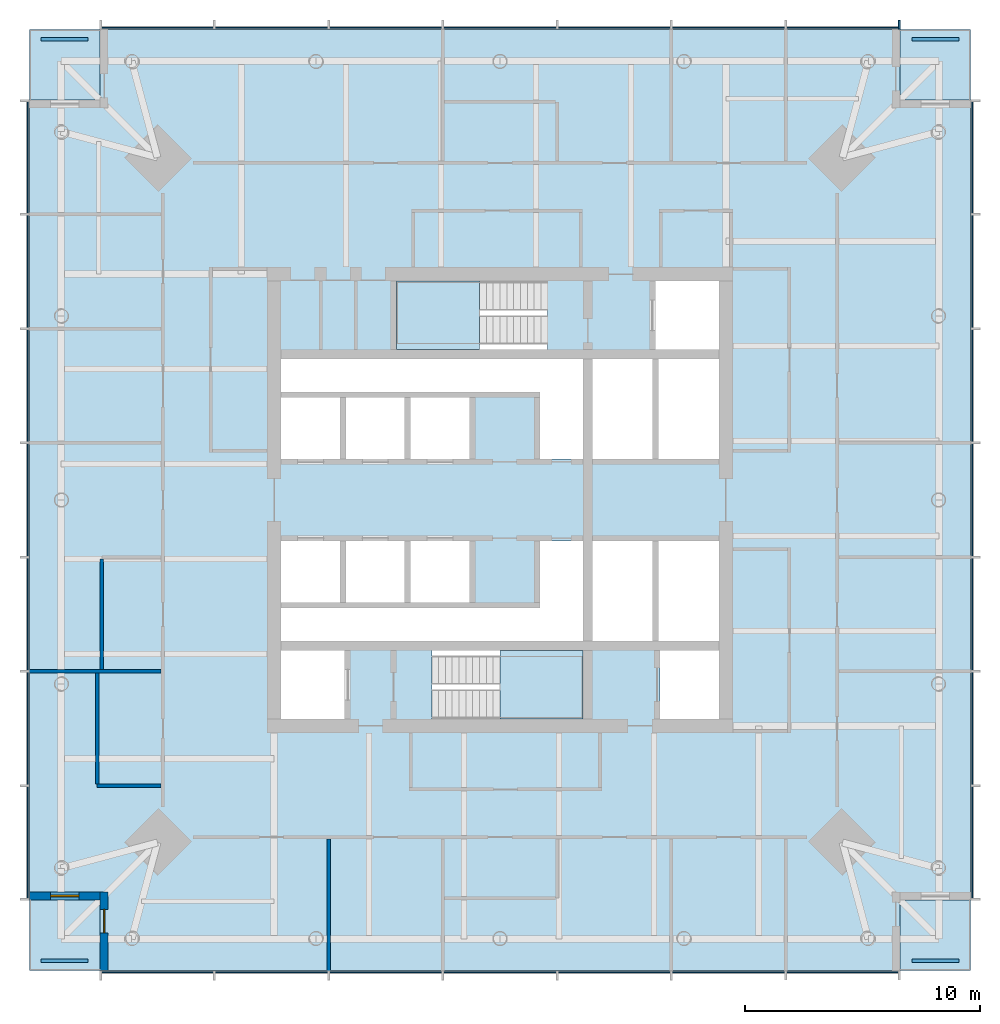
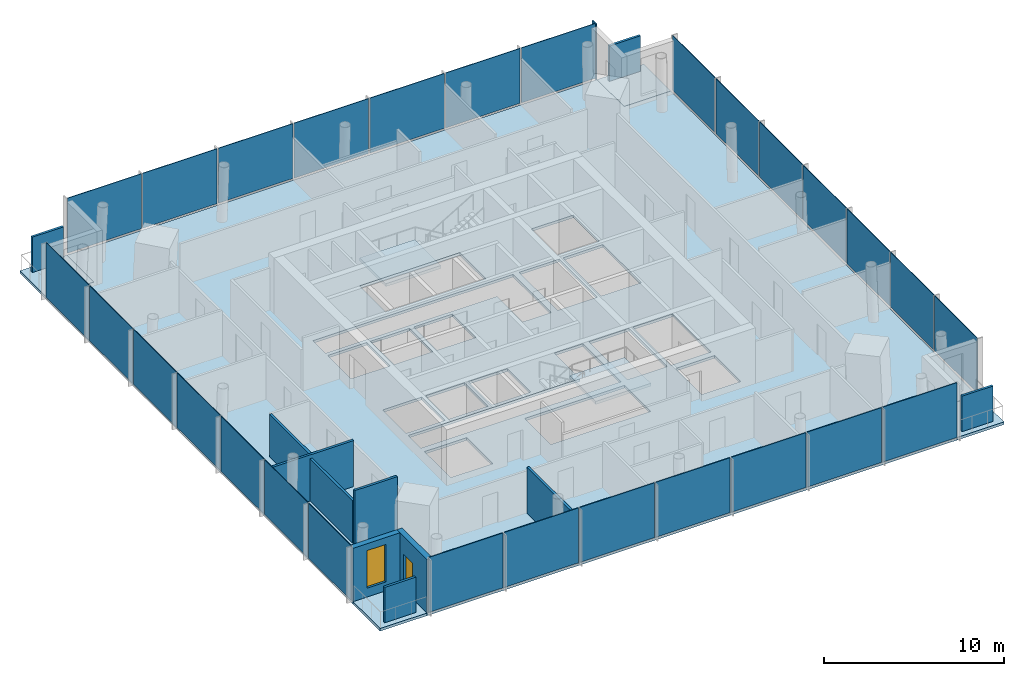
# One storey, part 3 of 7: 32 plates, 7 slabs, 7 walls, 1 door, 1 member, 1 window, 2 openings, 6 elements without a shape of their own.
"""IFC4 building model written with IfcOpenShell, lengths in metres."""

from ifc_helpers import new_model, si_unit, direction, frame, frame_2d, origin, origin_2d, place, context, subcontext, project, spatial, polyline, rectangle, outline, extrude, material, layer, layer_set, material_profile, profile_set, type_object, element, fill, aggregate, save


model = new_model("IFC4")

# Units and contexts
model_context = context("Model", 3, precision=1e-05, world=origin(), true_north=direction((0.0, 1.0)))
body_context = subcontext(model_context, "Body", "Model", "MODEL_VIEW")
ifc_project = project(units=[si_unit("LENGTHUNIT", "METRE"), si_unit("AREAUNIT", "SQUARE_METRE"), si_unit("VOLUMEUNIT", "CUBIC_METRE"), si_unit("PLANEANGLEUNIT", "RADIAN"), si_unit("MASSUNIT", "GRAM", prefix="KILO")], contexts=[model_context])

# Site, building, storey
site_placement = place(None, origin())
site = spatial("IfcSite", under=ifc_project, at=site_placement, CompositionType="ELEMENT")
building_placement = place(site_placement, origin())
building = spatial("IfcBuilding", under=site, at=building_placement, Name="Ostroluk Exchange", CompositionType="ELEMENT")
storey_placement = place(building_placement, frame((0.0, 0.0, 188.199951171875)))
storey = spatial("IfcBuildingStorey", under=building, at=storey_placement, Name="L48", CompositionType="ELEMENT", Elevation=188.199951171875)

# Curtain wall, member
ifc_material_1 = material(Name="Laminated clear glass", Category="glass")
curtain_wall_type = type_object("IfcCurtainWallType", Name="Office tower facade", PredefinedType="USERDEFINED", material=ifc_material_1)
curtain_wall_1_placement = place(storey_placement, origin())
curtain_wall_1 = element("IfcCurtainWall", 1, at=curtain_wall_1_placement, inside=storey, type_object=curtain_wall_type, Name="Office tower north facade L48", ObjectType="UNITISED CURTAIN WALL", PredefinedType="USERDEFINED")
ifc_material_2 = material(Name="Aluminium mullion with limestone facing", Category="masonry")
ifc_material_profile = material_profile(ifc_material_2, rectangle(XDim=0.39990234375, YDim=0.080078125, at=origin_2d()), Name="Tracery mullion 80 x 400")
ifc_profile_set = profile_set([ifc_material_profile], Name="Aluminium mullion with limestone facing")
member_type = type_object("IfcMemberType", Name="Tracery mullion 80 x 400", PredefinedType="MULLION", material=ifc_profile_set)
member_placement = place(storey_placement, frame((61.9599609375, 66.199951171875, 0.0), z_axis=(0.0, 0.0, 1.0), x_axis=(0.0, -1.0, 0.0)))
member = element("IfcMember", 2, at=member_placement, type_object=member_type, Name="CW-O1 mullion 1", PredefinedType="MULLION", context=body_context, shape_type="SweptSolid", body=[
    extrude(rectangle(XDim=0.39990234375, YDim=0.080078125, at=origin_2d()), origin(), (0.0, 0.0, 1.0), 3.800048828125),
])

# Slabs
ifc_material_3 = material(Name="Concrete C35/45", Category="concrete")
ifc_layer_1 = layer(ifc_material_3, 0.179931640625)
ifc_layer_set_1 = layer_set([ifc_layer_1], Name="Balcony slab 180")
slab_type_1 = type_object("IfcSlabType", Name="Balcony slab 180", PredefinedType="USERDEFINED", material=ifc_layer_set_1)
slab_1_placement = place(storey_placement, frame((0.0, 0.0, -0.179931640625)))
element("IfcSlab", 3, at=slab_1_placement, inside=storey, type_object=slab_type_1, Name="Office tower SE corner balcony L48", ObjectType="BALCONY", PredefinedType="USERDEFINED", context=body_context, shape_type="SweptSolid", body=[
    extrude(outline(polyline([(62.0, 26.0), (65.0, 26.0), (65.0, 29.0), (62.0, 29.0), (62.0, 26.0)])), origin(), (0.0, 0.0, 1.0), 0.179931640625),
])
slab_2_placement = place(storey_placement, frame((0.0, 0.0, -0.179931640625)))
element("IfcSlab", 4, at=slab_2_placement, inside=storey, type_object=slab_type_1, Name="Office tower NE corner balcony L48", ObjectType="BALCONY", PredefinedType="USERDEFINED", context=body_context, shape_type="SweptSolid", body=[
    extrude(outline(polyline([(62.0, 63.0), (65.0, 63.0), (65.0, 66.0), (62.0, 66.0), (62.0, 63.0)])), origin(), (0.0, 0.0, 1.0), 0.179931640625),
])
slab_3_placement = place(storey_placement, frame((0.0, 0.0, -0.179931640625)))
element("IfcSlab", 5, at=slab_3_placement, inside=storey, type_object=slab_type_1, Name="Office tower NW corner balcony L48", ObjectType="BALCONY", PredefinedType="USERDEFINED", context=body_context, shape_type="SweptSolid", body=[
    extrude(outline(polyline([(25.0, 63.0), (28.0, 63.0), (28.0, 66.0), (25.0, 66.0), (25.0, 63.0)])), origin(), (0.0, 0.0, 1.0), 0.179931640625),
])
slab_4_placement = place(storey_placement, frame((0.0, 0.0, -0.179931640625)))
element("IfcSlab", 6, at=slab_4_placement, inside=storey, type_object=slab_type_1, Name="Office tower SW corner balcony L48", ObjectType="BALCONY", PredefinedType="USERDEFINED", context=body_context, shape_type="SweptSolid", body=[
    extrude(outline(polyline([(25.0, 26.0), (28.0, 26.0), (28.0, 29.0), (25.0, 29.0), (25.0, 26.0)])), origin(), (0.0, 0.0, 1.0), 0.179931640625),
])

# Plates
ifc_material_4 = material(Name="Steel S355 trellis with planting", Category="steel")
ifc_layer_2 = layer(ifc_material_4, 0.14990234375)
ifc_layer_set_2 = layer_set([ifc_layer_2], Name="Planted screen 150")
plate_type_1 = type_object("IfcPlateType", Name="Planted screen 150", PredefinedType="USERDEFINED", material=ifc_layer_set_2)
for number, where, z_axis, x_axis, name in (
    (7, (63.5, 26.425048828125, 0.0), (0.0, 0.0, 1.0), (1.0, 0.0, 0.0), "Office tower SE planted screen L48"),
    (8, (63.5, 65.574951171875, 0.0), (0.0, 0.0, 1.0), (1.0, 0.0, 0.0), "Office tower NE planted screen L48"),
    (9, (26.5, 65.574951171875, 0.0), (0.0, 0.0, 1.0), (1.0, 0.0, 0.0), "Office tower NW planted screen L48"),
    (10, (26.5, 26.425048828125, 0.0), (0.0, 0.0, 1.0), (1.0, 0.0, 0.0), "Office tower SW planted screen L48"),
):
    element("IfcPlate", number, at=place(storey_placement, frame(where, z_axis=z_axis, x_axis=x_axis)), inside=storey, type_object=plate_type_1, Name=name, ObjectType="PLANTED SCREEN", PredefinedType="USERDEFINED", context=body_context, shape_type="SweptSolid", body=[
        extrude(rectangle(XDim=2.0, YDim=0.14990234375, at=origin_2d()), origin(), (0.0, 0.0, 1.0), 2.39990234375),
    ])

# Stair, slab
ifc_material_5 = material(Name="Concrete C30/37", Category="concrete")
stair_type = type_object("IfcStairType", Name="Exit stair half turn 3800", PredefinedType="HALF_TURN_STAIR", material=ifc_material_5)
stair_1_placement = place(storey_placement, origin())
stair_1 = element("IfcStair", 11, at=stair_1_placement, inside=storey, type_object=stair_type, Name="Stair T1-S1 L48", PredefinedType="HALF_TURN_STAIR")
ifc_material_6 = material(Name="Concrete C30/37", Category="concrete")
ifc_layer_3 = layer(ifc_material_6, 0.199951171875)
ifc_layer_set_3 = layer_set([ifc_layer_3], Name="Stair landing 200")
slab_type_2 = type_object("IfcSlabType", Name="Stair landing 200", PredefinedType="LANDING", material=ifc_layer_set_3)
slab_5_placement = place(storey_placement, frame((0.0, 0.0, 1.699951171875)))
slab_5 = element("IfcSlab", 12, at=slab_5_placement, type_object=slab_type_2, Name="T1-S1 landing 1", PredefinedType="LANDING", context=body_context, shape_type="SweptSolid", body=[
    extrude(outline(polyline([(45.0, 36.699951171875), (45.0, 39.60009765625), (48.530029296875, 39.60009765625), (48.530029296875, 36.699951171875), (45.0, 36.699951171875)])), origin(), (0.0, 0.0, 1.0), 0.2001953125),
])
aggregate(stair_1, [slab_5])

stair_2_placement = place(storey_placement, origin())
stair_2 = element("IfcStair", 13, at=stair_2_placement, inside=storey, type_object=stair_type, Name="Stair T1-S2 L48", PredefinedType="HALF_TURN_STAIR")
slab_6_placement = place(storey_placement, frame((0.0, 0.0, 1.699951171875)))
slab_6 = element("IfcSlab", 14, at=slab_6_placement, type_object=slab_type_2, Name="T1-S2 landing 1", PredefinedType="LANDING", context=body_context, shape_type="SweptSolid", body=[
    extrude(outline(polyline([(44.1298828125, 52.39990234375), (44.1298828125, 55.300048828125), (40.60009765625, 55.300048828125), (40.60009765625, 52.39990234375), (44.1298828125, 52.39990234375)])), origin(), (0.0, 0.0, 1.0), 0.2001953125),
])
aggregate(stair_2, [slab_6])

# Slab
ifc_material_7 = material(Name="Concrete C35/45", Category="concrete")
ifc_layer_4 = layer(ifc_material_7, 0.179931640625)
ifc_layer_set_4 = layer_set([ifc_layer_4], Name="Tower floor slab 180 composite")
slab_type_3 = type_object("IfcSlabType", Name="Tower floor slab 180 composite", PredefinedType="FLOOR", material=ifc_layer_set_4)
slab_7_placement = place(storey_placement, frame((0.0, 0.0, -0.179931640625)))
element("IfcSlab", 15, at=slab_7_placement, inside=storey, type_object=slab_type_3, Name="Office tower floor slab L48", PredefinedType="FLOOR", context=body_context, shape_type="SweptSolid", body=[
    extrude(outline(polyline([(28.0, 26.0), (62.0, 26.0), (62.0, 29.0), (65.0, 29.0), (65.0, 63.0), (62.0, 63.0), (62.0, 66.0), (28.0, 66.0), (28.0, 63.0), (25.0, 63.0), (25.0, 29.0), (28.0, 29.0), (28.0, 26.0)]), holes=[polyline([(35.699951171875, 36.699951171875), (38.39990234375, 36.699951171875), (38.39990234375, 39.60009765625), (35.699951171875, 39.60009765625), (35.699951171875, 36.699951171875)]), polyline([(42.110107421875, 36.699951171875), (48.530029296875, 36.699951171875), (48.530029296875, 39.60009765625), (42.110107421875, 39.60009765625), (42.110107421875, 36.699951171875)]), polyline([(51.800048828125, 36.699951171875), (54.300048828125, 36.699951171875), (54.300048828125, 39.60009765625), (51.800048828125, 39.60009765625), (51.800048828125, 36.699951171875)]), polyline([(40.60009765625, 52.39990234375), (47.02001953125, 52.39990234375), (47.02001953125, 55.300048828125), (40.60009765625, 55.300048828125), (40.60009765625, 52.39990234375)]), polyline([(51.60009765625, 52.39990234375), (54.300048828125, 52.39990234375), (54.300048828125, 55.300048828125), (51.60009765625, 55.300048828125), (51.60009765625, 52.39990234375)]), polyline([(35.699951171875, 47.75), (38.199951171875, 47.75), (38.199951171875, 50.35009765625), (35.699951171875, 50.35009765625), (35.699951171875, 47.75)]), polyline([(38.449951171875, 47.75), (40.949951171875, 47.75), (40.949951171875, 50.35009765625), (38.449951171875, 50.35009765625), (38.449951171875, 47.75)]), polyline([(41.199951171875, 47.75), (43.699951171875, 47.75), (43.699951171875, 50.35009765625), (41.199951171875, 50.35009765625), (41.199951171875, 47.75)]), polyline([(35.699951171875, 41.64990234375), (38.199951171875, 41.64990234375), (38.199951171875, 44.25), (35.699951171875, 44.25), (35.699951171875, 41.64990234375)]), polyline([(38.449951171875, 41.64990234375), (40.949951171875, 41.64990234375), (40.949951171875, 44.25), (38.449951171875, 44.25), (38.449951171875, 41.64990234375)]), polyline([(41.199951171875, 41.64990234375), (43.699951171875, 41.64990234375), (43.699951171875, 44.25), (41.199951171875, 44.25), (41.199951171875, 41.64990234375)]), polyline([(48.929931640625, 47.75), (51.489990234375, 47.75), (51.489990234375, 52.0), (48.929931640625, 52.0), (48.929931640625, 47.75)]), polyline([(51.739990234375, 47.75), (54.300048828125, 47.75), (54.300048828125, 52.0), (51.739990234375, 52.0), (51.739990234375, 47.75)]), polyline([(48.929931640625, 40.0), (51.489990234375, 40.0), (51.489990234375, 44.25), (48.929931640625, 44.25), (48.929931640625, 40.0)]), polyline([(51.739990234375, 40.0), (54.300048828125, 40.0), (54.300048828125, 44.25), (51.739990234375, 44.25), (51.739990234375, 40.0)]), polyline([(48.530029296875, 52.0), (48.530029296875, 47.75), (46.699951171875, 47.75), (46.699951171875, 50.60009765625), (35.699951171875, 50.60009765625), (35.699951171875, 52.0), (48.530029296875, 52.0)]), polyline([(35.699951171875, 40.0), (35.699951171875, 41.39990234375), (46.699951171875, 41.39990234375), (46.699951171875, 44.25), (48.530029296875, 44.25), (48.530029296875, 40.0), (35.699951171875, 40.0)])]), origin(), (0.0, 0.0, 1.0), 0.179931640625),
])

# Curtain wall, plates
curtain_wall_2_placement = place(storey_placement, origin())
curtain_wall_2 = element("IfcCurtainWall", 16, at=curtain_wall_2_placement, inside=storey, type_object=curtain_wall_type, Name="Office tower south facade L48", ObjectType="UNITISED CURTAIN WALL", PredefinedType="USERDEFINED")
ifc_material_8 = material(Name="Laminated clear glass", Category="glass")
ifc_layer_5 = layer(ifc_material_8, 0.0439453125)
ifc_layer_set_5 = layer_set([ifc_layer_5], Name="Triple laminated clear glazing 44")
plate_type_2 = type_object("IfcPlateType", Name="Triple laminated clear glazing 44", PredefinedType="CURTAIN_PANEL", material=ifc_layer_set_5)
plate_1_placement = place(storey_placement, frame((30.448486328125, 25.925048828125, 0.080078125), z_axis=(0.0, 0.0, 1.0), x_axis=(1.0, 0.0, 0.0)))
plate_1 = element("IfcPlate", 17, at=plate_1_placement, type_object=plate_type_2, Name="CW-O1 panel 1.1", PredefinedType="CURTAIN_PANEL", context=body_context, shape_type="SweptSolid", body=[
    extrude(rectangle(XDim=4.737060546875, YDim=0.0439453125, at=origin_2d()), origin(), (0.0, 0.0, 1.0), 3.719970703125),
])
plate_2_placement = place(storey_placement, frame((35.28564453125, 25.925048828125, 0.080078125), z_axis=(0.0, 0.0, 1.0), x_axis=(1.0, 0.0, 0.0)))
plate_2 = element("IfcPlate", 18, at=plate_2_placement, type_object=plate_type_2, Name="CW-O1 panel 2.1", PredefinedType="CURTAIN_PANEL", context=body_context, shape_type="SweptSolid", body=[
    extrude(rectangle(XDim=4.777099609375, YDim=0.0439453125, at=origin_2d()), origin(), (0.0, 0.0, 1.0), 3.719970703125),
])
plate_3_placement = place(storey_placement, frame((40.142822265625, 25.925048828125, 0.080078125), z_axis=(0.0, 0.0, 1.0), x_axis=(1.0, 0.0, 0.0)))
plate_3 = element("IfcPlate", 19, at=plate_3_placement, type_object=plate_type_2, Name="CW-O1 panel 3.1", PredefinedType="CURTAIN_PANEL", context=body_context, shape_type="SweptSolid", body=[
    extrude(rectangle(XDim=4.777099609375, YDim=0.0439453125, at=origin_2d()), origin(), (0.0, 0.0, 1.0), 3.719970703125),
])
plate_4_placement = place(storey_placement, frame((45.0, 25.925048828125, 0.080078125), z_axis=(0.0, 0.0, 1.0), x_axis=(1.0, 0.0, 0.0)))
plate_4 = element("IfcPlate", 20, at=plate_4_placement, type_object=plate_type_2, Name="CW-O1 panel 4.1", PredefinedType="CURTAIN_PANEL", context=body_context, shape_type="SweptSolid", body=[
    extrude(rectangle(XDim=4.777099609375, YDim=0.0439453125, at=origin_2d()), origin(), (0.0, 0.0, 1.0), 3.719970703125),
])
plate_5_placement = place(storey_placement, frame((49.857177734375, 25.925048828125, 0.080078125), z_axis=(0.0, 0.0, 1.0), x_axis=(1.0, 0.0, 0.0)))
plate_5 = element("IfcPlate", 21, at=plate_5_placement, type_object=plate_type_2, Name="CW-O1 panel 5.1", PredefinedType="CURTAIN_PANEL", context=body_context, shape_type="SweptSolid", body=[
    extrude(rectangle(XDim=4.777099609375, YDim=0.0439453125, at=origin_2d()), origin(), (0.0, 0.0, 1.0), 3.719970703125),
])
plate_6_placement = place(storey_placement, frame((54.71435546875, 25.925048828125, 0.080078125), z_axis=(0.0, 0.0, 1.0), x_axis=(1.0, 0.0, 0.0)))
plate_6 = element("IfcPlate", 22, at=plate_6_placement, type_object=plate_type_2, Name="CW-O1 panel 6.1", PredefinedType="CURTAIN_PANEL", context=body_context, shape_type="SweptSolid", body=[
    extrude(rectangle(XDim=4.777099609375, YDim=0.0439453125, at=origin_2d()), origin(), (0.0, 0.0, 1.0), 3.719970703125),
])
plate_7_placement = place(storey_placement, frame((59.551513671875, 25.925048828125, 0.080078125), z_axis=(0.0, 0.0, 1.0), x_axis=(1.0, 0.0, 0.0)))
plate_7 = element("IfcPlate", 23, at=plate_7_placement, type_object=plate_type_2, Name="CW-O1 panel 7.1", PredefinedType="CURTAIN_PANEL", context=body_context, shape_type="SweptSolid", body=[
    extrude(rectangle(XDim=4.737060546875, YDim=0.0439453125, at=origin_2d()), origin(), (0.0, 0.0, 1.0), 3.719970703125),
])
aggregate(curtain_wall_2, [plate_1, plate_2, plate_3, plate_4, plate_5, plate_6, plate_7])

curtain_wall_3_placement = place(storey_placement, origin())
curtain_wall_3 = element("IfcCurtainWall", 24, at=curtain_wall_3_placement, inside=storey, type_object=curtain_wall_type, Name="Office tower east facade L48", ObjectType="UNITISED CURTAIN WALL", PredefinedType="USERDEFINED")
plate_8_placement = place(storey_placement, frame((65.074951171875, 31.448486328125, 0.080078125), z_axis=(0.0, 0.0, 1.0), x_axis=(0.0, 1.0, 0.0)))
plate_8 = element("IfcPlate", 25, at=plate_8_placement, type_object=plate_type_2, Name="CW-O1 panel 1.1", PredefinedType="CURTAIN_PANEL", context=body_context, shape_type="SweptSolid", body=[
    extrude(rectangle(XDim=4.737060546875, YDim=0.0439453125, at=origin_2d()), origin(), (0.0, 0.0, 1.0), 3.719970703125),
])
plate_9_placement = place(storey_placement, frame((65.074951171875, 36.28564453125, 0.080078125), z_axis=(0.0, 0.0, 1.0), x_axis=(0.0, 1.0, 0.0)))
plate_9 = element("IfcPlate", 26, at=plate_9_placement, type_object=plate_type_2, Name="CW-O1 panel 2.1", PredefinedType="CURTAIN_PANEL", context=body_context, shape_type="SweptSolid", body=[
    extrude(rectangle(XDim=4.777099609375, YDim=0.0439453125, at=origin_2d()), origin(), (0.0, 0.0, 1.0), 3.719970703125),
])
plate_10_placement = place(storey_placement, frame((65.074951171875, 41.142822265625, 0.080078125), z_axis=(0.0, 0.0, 1.0), x_axis=(0.0, 1.0, 0.0)))
plate_10 = element("IfcPlate", 27, at=plate_10_placement, type_object=plate_type_2, Name="CW-O1 panel 3.1", PredefinedType="CURTAIN_PANEL", context=body_context, shape_type="SweptSolid", body=[
    extrude(rectangle(XDim=4.777099609375, YDim=0.0439453125, at=origin_2d()), origin(), (0.0, 0.0, 1.0), 3.719970703125),
])
plate_11_placement = place(storey_placement, frame((65.074951171875, 46.0, 0.080078125), z_axis=(0.0, 0.0, 1.0), x_axis=(0.0, 1.0, 0.0)))
plate_11 = element("IfcPlate", 28, at=plate_11_placement, type_object=plate_type_2, Name="CW-O1 panel 4.1", PredefinedType="CURTAIN_PANEL", context=body_context, shape_type="SweptSolid", body=[
    extrude(rectangle(XDim=4.777099609375, YDim=0.0439453125, at=origin_2d()), origin(), (0.0, 0.0, 1.0), 3.719970703125),
])
plate_12_placement = place(storey_placement, frame((65.074951171875, 50.857177734375, 0.080078125), z_axis=(0.0, 0.0, 1.0), x_axis=(0.0, 1.0, 0.0)))
plate_12 = element("IfcPlate", 29, at=plate_12_placement, type_object=plate_type_2, Name="CW-O1 panel 5.1", PredefinedType="CURTAIN_PANEL", context=body_context, shape_type="SweptSolid", body=[
    extrude(rectangle(XDim=4.777099609375, YDim=0.0439453125, at=origin_2d()), origin(), (0.0, 0.0, 1.0), 3.719970703125),
])
plate_13_placement = place(storey_placement, frame((65.074951171875, 55.71435546875, 0.080078125), z_axis=(0.0, 0.0, 1.0), x_axis=(0.0, 1.0, 0.0)))
plate_13 = element("IfcPlate", 30, at=plate_13_placement, type_object=plate_type_2, Name="CW-O1 panel 6.1", PredefinedType="CURTAIN_PANEL", context=body_context, shape_type="SweptSolid", body=[
    extrude(rectangle(XDim=4.777099609375, YDim=0.0439453125, at=origin_2d()), origin(), (0.0, 0.0, 1.0), 3.719970703125),
])
plate_14_placement = place(storey_placement, frame((65.074951171875, 60.551513671875, 0.080078125), z_axis=(0.0, 0.0, 1.0), x_axis=(0.0, 1.0, 0.0)))
plate_14 = element("IfcPlate", 31, at=plate_14_placement, type_object=plate_type_2, Name="CW-O1 panel 7.1", PredefinedType="CURTAIN_PANEL", context=body_context, shape_type="SweptSolid", body=[
    extrude(rectangle(XDim=4.737060546875, YDim=0.0439453125, at=origin_2d()), origin(), (0.0, 0.0, 1.0), 3.719970703125),
])
aggregate(curtain_wall_3, [plate_8, plate_9, plate_10, plate_11, plate_12, plate_13, plate_14])

# Plate
plate_15_placement = place(storey_placement, frame((59.551513671875, 66.074951171875, 0.080078125), z_axis=(0.0, 0.0, 1.0), x_axis=(-1.0, 0.0, 0.0)))
plate_15 = element("IfcPlate", 32, at=plate_15_placement, type_object=plate_type_2, Name="CW-O1 panel 1.1", PredefinedType="CURTAIN_PANEL", context=body_context, shape_type="SweptSolid", body=[
    extrude(rectangle(XDim=4.737060546875, YDim=0.0439453125, at=origin_2d()), origin(), (0.0, 0.0, 1.0), 3.719970703125),
])

plate_16_placement = place(storey_placement, frame((54.71435546875, 66.074951171875, 0.080078125), z_axis=(0.0, 0.0, 1.0), x_axis=(-1.0, 0.0, 0.0)))
plate_16 = element("IfcPlate", 33, at=plate_16_placement, type_object=plate_type_2, Name="CW-O1 panel 2.1", PredefinedType="CURTAIN_PANEL", context=body_context, shape_type="SweptSolid", body=[
    extrude(rectangle(XDim=4.777099609375, YDim=0.0439453125, at=origin_2d()), origin(), (0.0, 0.0, 1.0), 3.719970703125),
])

plate_17_placement = place(storey_placement, frame((49.857177734375, 66.074951171875, 0.080078125), z_axis=(0.0, 0.0, 1.0), x_axis=(-1.0, 0.0, 0.0)))
plate_17 = element("IfcPlate", 34, at=plate_17_placement, type_object=plate_type_2, Name="CW-O1 panel 3.1", PredefinedType="CURTAIN_PANEL", context=body_context, shape_type="SweptSolid", body=[
    extrude(rectangle(XDim=4.777099609375, YDim=0.0439453125, at=origin_2d()), origin(), (0.0, 0.0, 1.0), 3.719970703125),
])

plate_18_placement = place(storey_placement, frame((45.0, 66.074951171875, 0.080078125), z_axis=(0.0, 0.0, 1.0), x_axis=(-1.0, 0.0, 0.0)))
plate_18 = element("IfcPlate", 35, at=plate_18_placement, type_object=plate_type_2, Name="CW-O1 panel 4.1", PredefinedType="CURTAIN_PANEL", context=body_context, shape_type="SweptSolid", body=[
    extrude(rectangle(XDim=4.777099609375, YDim=0.0439453125, at=origin_2d()), origin(), (0.0, 0.0, 1.0), 3.719970703125),
])

plate_19_placement = place(storey_placement, frame((40.142822265625, 66.074951171875, 0.080078125), z_axis=(0.0, 0.0, 1.0), x_axis=(-1.0, 0.0, 0.0)))
plate_19 = element("IfcPlate", 36, at=plate_19_placement, type_object=plate_type_2, Name="CW-O1 panel 5.1", PredefinedType="CURTAIN_PANEL", context=body_context, shape_type="SweptSolid", body=[
    extrude(rectangle(XDim=4.777099609375, YDim=0.0439453125, at=origin_2d()), origin(), (0.0, 0.0, 1.0), 3.719970703125),
])

plate_20_placement = place(storey_placement, frame((35.28564453125, 66.074951171875, 0.080078125), z_axis=(0.0, 0.0, 1.0), x_axis=(-1.0, 0.0, 0.0)))
plate_20 = element("IfcPlate", 37, at=plate_20_placement, type_object=plate_type_2, Name="CW-O1 panel 6.1", PredefinedType="CURTAIN_PANEL", context=body_context, shape_type="SweptSolid", body=[
    extrude(rectangle(XDim=4.777099609375, YDim=0.0439453125, at=origin_2d()), origin(), (0.0, 0.0, 1.0), 3.719970703125),
])

plate_21_placement = place(storey_placement, frame((30.448486328125, 66.074951171875, 0.080078125), z_axis=(0.0, 0.0, 1.0), x_axis=(-1.0, 0.0, 0.0)))
plate_21 = element("IfcPlate", 38, at=plate_21_placement, type_object=plate_type_2, Name="CW-O1 panel 7.1", PredefinedType="CURTAIN_PANEL", context=body_context, shape_type="SweptSolid", body=[
    extrude(rectangle(XDim=4.737060546875, YDim=0.0439453125, at=origin_2d()), origin(), (0.0, 0.0, 1.0), 3.719970703125),
])

aggregate(curtain_wall_1, [member, plate_15, plate_16, plate_17, plate_18, plate_19, plate_20, plate_21])

# Curtain wall, plates
curtain_wall_4_placement = place(storey_placement, origin())
curtain_wall_4 = element("IfcCurtainWall", 39, at=curtain_wall_4_placement, inside=storey, type_object=curtain_wall_type, Name="Office tower west facade L48", ObjectType="UNITISED CURTAIN WALL", PredefinedType="USERDEFINED")
plate_22_placement = place(storey_placement, frame((24.925048828125, 60.551513671875, 0.080078125), z_axis=(0.0, 0.0, 1.0), x_axis=(0.0, -1.0, 0.0)))
plate_22 = element("IfcPlate", 40, at=plate_22_placement, type_object=plate_type_2, Name="CW-O1 panel 1.1", PredefinedType="CURTAIN_PANEL", context=body_context, shape_type="SweptSolid", body=[
    extrude(rectangle(XDim=4.737060546875, YDim=0.0439453125, at=origin_2d()), origin(), (0.0, 0.0, 1.0), 3.719970703125),
])
plate_23_placement = place(storey_placement, frame((24.925048828125, 55.71435546875, 0.080078125), z_axis=(0.0, 0.0, 1.0), x_axis=(0.0, -1.0, 0.0)))
plate_23 = element("IfcPlate", 41, at=plate_23_placement, type_object=plate_type_2, Name="CW-O1 panel 2.1", PredefinedType="CURTAIN_PANEL", context=body_context, shape_type="SweptSolid", body=[
    extrude(rectangle(XDim=4.777099609375, YDim=0.0439453125, at=origin_2d()), origin(), (0.0, 0.0, 1.0), 3.719970703125),
])
plate_24_placement = place(storey_placement, frame((24.925048828125, 50.857177734375, 0.080078125), z_axis=(0.0, 0.0, 1.0), x_axis=(0.0, -1.0, 0.0)))
plate_24 = element("IfcPlate", 42, at=plate_24_placement, type_object=plate_type_2, Name="CW-O1 panel 3.1", PredefinedType="CURTAIN_PANEL", context=body_context, shape_type="SweptSolid", body=[
    extrude(rectangle(XDim=4.777099609375, YDim=0.0439453125, at=origin_2d()), origin(), (0.0, 0.0, 1.0), 3.719970703125),
])
plate_25_placement = place(storey_placement, frame((24.925048828125, 46.0, 0.080078125), z_axis=(0.0, 0.0, 1.0), x_axis=(0.0, -1.0, 0.0)))
plate_25 = element("IfcPlate", 43, at=plate_25_placement, type_object=plate_type_2, Name="CW-O1 panel 4.1", PredefinedType="CURTAIN_PANEL", context=body_context, shape_type="SweptSolid", body=[
    extrude(rectangle(XDim=4.777099609375, YDim=0.0439453125, at=origin_2d()), origin(), (0.0, 0.0, 1.0), 3.719970703125),
])
plate_26_placement = place(storey_placement, frame((24.925048828125, 41.142822265625, 0.080078125), z_axis=(0.0, 0.0, 1.0), x_axis=(0.0, -1.0, 0.0)))
plate_26 = element("IfcPlate", 44, at=plate_26_placement, type_object=plate_type_2, Name="CW-O1 panel 5.1", PredefinedType="CURTAIN_PANEL", context=body_context, shape_type="SweptSolid", body=[
    extrude(rectangle(XDim=4.777099609375, YDim=0.0439453125, at=origin_2d()), origin(), (0.0, 0.0, 1.0), 3.719970703125),
])
plate_27_placement = place(storey_placement, frame((24.925048828125, 36.28564453125, 0.080078125), z_axis=(0.0, 0.0, 1.0), x_axis=(0.0, -1.0, 0.0)))
plate_27 = element("IfcPlate", 45, at=plate_27_placement, type_object=plate_type_2, Name="CW-O1 panel 6.1", PredefinedType="CURTAIN_PANEL", context=body_context, shape_type="SweptSolid", body=[
    extrude(rectangle(XDim=4.777099609375, YDim=0.0439453125, at=origin_2d()), origin(), (0.0, 0.0, 1.0), 3.719970703125),
])
plate_28_placement = place(storey_placement, frame((24.925048828125, 31.448486328125, 0.080078125), z_axis=(0.0, 0.0, 1.0), x_axis=(0.0, -1.0, 0.0)))
plate_28 = element("IfcPlate", 46, at=plate_28_placement, type_object=plate_type_2, Name="CW-O1 panel 7.1", PredefinedType="CURTAIN_PANEL", context=body_context, shape_type="SweptSolid", body=[
    extrude(rectangle(XDim=4.737060546875, YDim=0.0439453125, at=origin_2d()), origin(), (0.0, 0.0, 1.0), 3.719970703125),
])
aggregate(curtain_wall_4, [plate_22, plate_23, plate_24, plate_25, plate_26, plate_27, plate_28])

# Wall, opening, door
ifc_material_9 = material(Name="Limestone", Category="masonry")
ifc_layer_6 = layer(ifc_material_9, 0.35009765625)
ifc_layer_set_6 = layer_set([ifc_layer_6], Name="Limestone facade wall 350")
wall_type_1 = type_object("IfcWallType", Name="Limestone facade wall 350", PredefinedType="SOLIDWALL", material=ifc_layer_set_6)
wall_1_placement = place(storey_placement, frame((28.175048828125, 26.0, 0.0), z_axis=(0.0, 0.0, 1.0), x_axis=(0.0, 1.0, 0.0)))
wall_1 = element("IfcWall", 47, at=wall_1_placement, inside=storey, type_object=wall_type_1, Name="Office tower SW corner wall L48 a", PredefinedType="SOLIDWALL", context=body_context, shape_type="SweptSolid", body=[
    extrude(rectangle(XDim=3.35009765625, YDim=0.35009765625, at=frame_2d((1.675048828125, 0.0))), origin(), (0.0, 0.0, 1.0), 3.6201171875),
])
opening_1_placement = place(wall_1_placement, frame((1.60009765625, 0.0, 0.0)))
opening_1 = element("IfcOpeningElement", 48, at=opening_1_placement, cuts=wall_1, Name="Opening D-B1", PredefinedType="OPENING", context=body_context, shape_type="SweptSolid", body=[
    extrude(rectangle(XDim=1.0, YDim=2.39990234375, at=frame_2d((0.5, 1.199951171875))), frame((0.0, 0.18505859375, 0.0), z_axis=(0.0, -1.0, 0.0), x_axis=(1.0, 0.0, 0.0)), (0.0, 0.0, 1.0), 0.3701171875),
])
ifc_material_10 = material(Name="Bronze framed glazed door", Category="aluminium")
door_type = type_object("IfcDoorType", Name="Balcony door 1000 x 2400", OperationType="SINGLE_SWING_LEFT", PredefinedType="DOOR", material=ifc_material_10)
door_placement = place(opening_1_placement, origin())
door = element("IfcDoor", 49, at=door_placement, inside=storey, type_object=door_type, Name="Office tower SW balcony door L48", OperationType="SINGLE_SWING_RIGHT", OverallHeight=2.39990234375, OverallWidth=1.0, PredefinedType="DOOR", context=body_context, shape_type="SweptSolid", body=[
    extrude(rectangle(XDim=1.0, YDim=2.39990234375, at=frame_2d((0.5, 1.199951171875))), frame((0.0, 0.02490234375, 0.0), z_axis=(0.0, -1.0, 0.0), x_axis=(1.0, 0.0, 0.0)), (0.0, 0.0, 1.0), 0.050048828125),
])
fill(opening_1, door)

# Wall, opening, window
wall_2_placement = place(storey_placement, frame((28.0, 29.175048828125, 0.0), z_axis=(0.0, 0.0, 1.0), x_axis=(-1.0, 0.0, 0.0)))
wall_2 = element("IfcWall", 50, at=wall_2_placement, inside=storey, type_object=wall_type_1, Name="Office tower SW corner wall L48 b", PredefinedType="SOLIDWALL", context=body_context, shape_type="SweptSolid", body=[
    extrude(rectangle(XDim=3.0, YDim=0.35009765625, at=frame_2d((1.5, 0.0))), origin(), (0.0, 0.0, 1.0), 3.6201171875),
])
opening_2_placement = place(wall_2_placement, frame((0.89990234375, 0.0, 0.60009765625)))
opening_2 = element("IfcOpeningElement", 51, at=opening_2_placement, cuts=wall_2, Name="Opening WN-L1", PredefinedType="OPENING", context=body_context, shape_type="SweptSolid", body=[
    extrude(rectangle(XDim=1.199951171875, YDim=2.550048828125, at=frame_2d((0.60009765625, 1.27490234375))), frame((0.0, 0.18505859375, 0.0), z_axis=(0.0, -1.0, 0.0), x_axis=(1.0, 0.0, 0.0)), (0.0, 0.0, 1.0), 0.3701171875),
])
ifc_material_11 = material(Name="Laminated clear glass", Category="glass")
window_type = type_object("IfcWindowType", Name="Lancet window 1200 x 2550", PartitioningType="SINGLE_PANEL", PredefinedType="WINDOW", material=ifc_material_11)
window_placement = place(opening_2_placement, origin())
window = element("IfcWindow", 52, at=window_placement, inside=storey, type_object=window_type, Name="Office tower SW lancet window L48", OverallHeight=2.550048828125, OverallWidth=1.199951171875, PartitioningType="SINGLE_PANEL", PredefinedType="WINDOW", context=body_context, shape_type="SweptSolid", body=[
    extrude(rectangle(XDim=1.199951171875, YDim=2.550048828125, at=frame_2d((0.60009765625, 1.27490234375))), frame((0.0, 0.030029296875, 0.0), z_axis=(0.0, -1.0, 0.0), x_axis=(1.0, 0.0, 0.0)), (0.0, 0.0, 1.0), 0.06005859375),
])
fill(opening_2, window)

# Walls
ifc_material_12 = material(Name="Gypsum plasterboard partition", Category="gypsum")
ifc_layer_7 = layer(ifc_material_12, 0.14990234375)
ifc_layer_set_7 = layer_set([ifc_layer_7], Name="Plasterboard partition 150")
wall_type_2 = type_object("IfcWallType", Name="Plasterboard partition 150", PredefinedType="PARTITIONING", material=ifc_layer_set_7)
wall_3_placement = place(storey_placement, frame((30.60009765625, 38.71435546875, 0.0), z_axis=(0.0, 0.0, 1.0), x_axis=(-1.0, 0.0, 0.0)))
element("IfcWall", 53, at=wall_3_placement, inside=storey, type_object=wall_type_2, Name="Partition", PredefinedType="PARTITIONING", context=body_context, shape_type="SweptSolid", body=[
    extrude(rectangle(XDim=5.64013671875, YDim=0.14990234375, at=frame_2d((2.820068359375, 0.0))), origin(), (0.0, 0.0, 1.0), 3.1201171875),
])
wall_4_placement = place(storey_placement, frame((30.60009765625, 33.857177734375, 0.0), z_axis=(0.0, 0.0, 1.0), x_axis=(-1.0, 0.0, 0.0)))
element("IfcWall", 54, at=wall_4_placement, inside=storey, type_object=wall_type_2, Name="Partition", PredefinedType="PARTITIONING", context=body_context, shape_type="SweptSolid", body=[
    extrude(rectangle(XDim=2.72509765625, YDim=0.14990234375, at=frame_2d((1.362548828125, 0.0))), origin(), (0.0, 0.0, 1.0), 3.6201171875),
])
wall_5_placement = place(storey_placement, frame((37.71435546875, 31.60009765625, 0.0), z_axis=(0.0, 0.0, 1.0), x_axis=(0.0, -1.0, 0.0)))
element("IfcWall", 55, at=wall_5_placement, inside=storey, type_object=wall_type_2, Name="Partition", PredefinedType="PARTITIONING", context=body_context, shape_type="SweptSolid", body=[
    extrude(rectangle(XDim=5.64013671875, YDim=0.14990234375, at=frame_2d((2.820068359375, 0.0))), origin(), (0.0, 0.0, 1.0), 3.1201171875),
])
ifc_material_13 = material(Name="Gypsum plasterboard partition, moisture resistant", Category="gypsum")
ifc_layer_8 = layer(ifc_material_13, 0.14990234375)
ifc_layer_set_8 = layer_set([ifc_layer_8], Name="Plasterboard toilet partition 150")
wall_type_3 = type_object("IfcWallType", Name="Plasterboard toilet partition 150", PredefinedType="PARTITIONING", material=ifc_layer_set_8)
wall_6_placement = place(storey_placement, frame((28.074951171875, 43.496337890625, 0.0), z_axis=(0.0, 0.0, 1.0), x_axis=(0.0, -1.0, 0.0)))
element("IfcWall", 56, at=wall_6_placement, inside=storey, type_object=wall_type_3, Name="Toilet partition", PredefinedType="PARTITIONING", context=body_context, shape_type="SweptSolid", body=[
    extrude(rectangle(XDim=4.70703125, YDim=0.14990234375, at=frame_2d((2.353515625, 0.0))), origin(), (0.0, 0.0, 1.0), 2.866943359375),
])
wall_7_placement = place(storey_placement, frame((27.875, 38.639404296875, 0.0), z_axis=(0.0, 0.0, 1.0), x_axis=(0.0, -1.0, 0.0)))
element("IfcWall", 57, at=wall_7_placement, inside=storey, type_object=wall_type_3, Name="Toilet partition", PredefinedType="PARTITIONING", context=body_context, shape_type="SweptSolid", body=[
    extrude(rectangle(XDim=4.707275390625, YDim=0.14990234375, at=frame_2d((2.353515625, 0.0))), origin(), (0.0, 0.0, 1.0), 2.866943359375),
])

save(model, "model.ifc")
